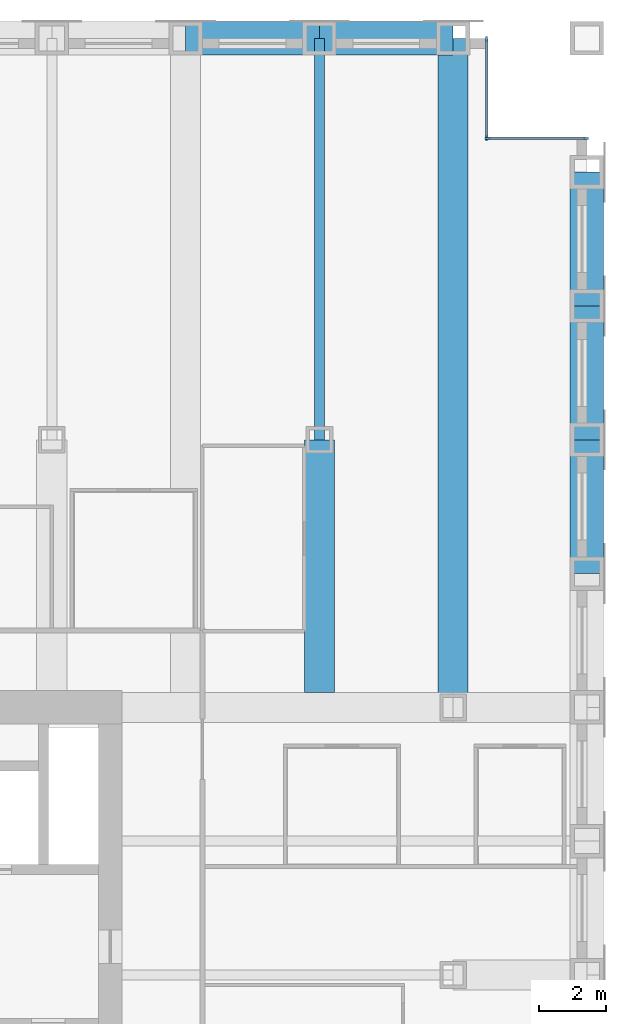
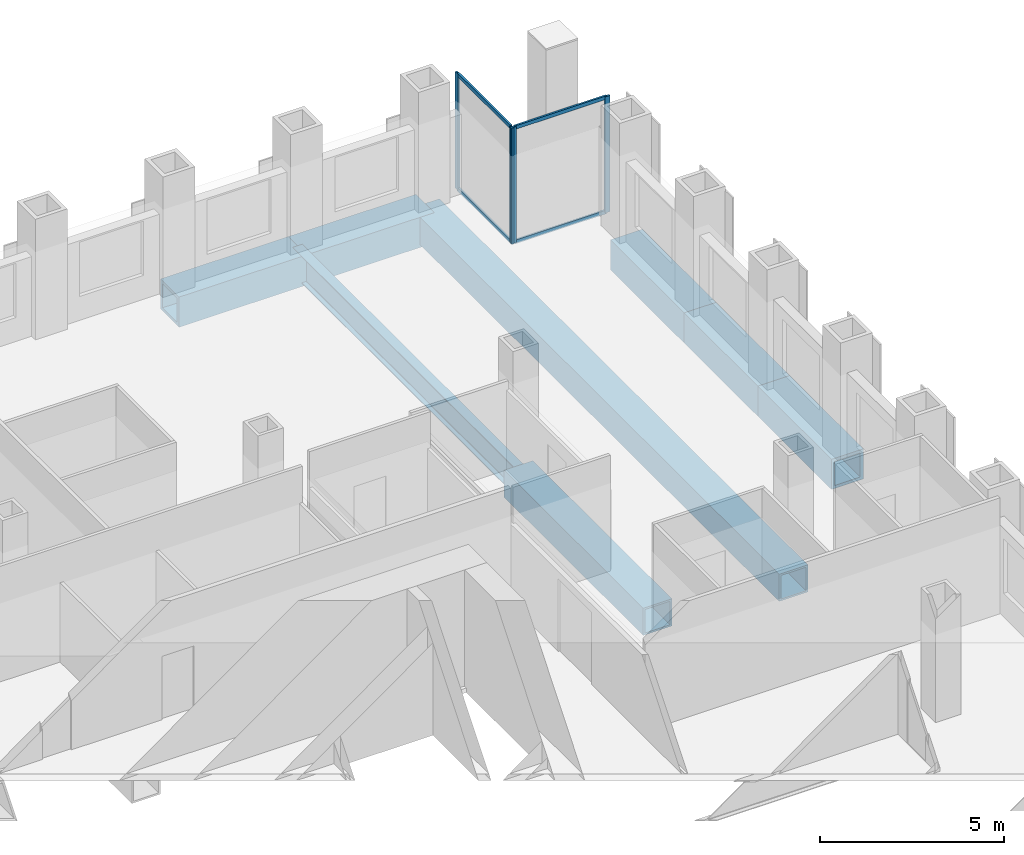
# One storey, part 7 of 14: 8 beams, 8 members, 2 elements without a shape of their own.
"""IFC4 building model written with IfcOpenShell, lengths in metres."""

from ifc_helpers import new_model, si_unit, direction, frame, origin, origin_2d, place, context, subcontext, project, spatial, rectangle, hollow_rectangle, i_section, extrude, material, material_profile, profile_set, type_object, element, aggregate, save


model = new_model("IFC4")

# Units and contexts
model_context = context("Model", 3, precision=1e-05, world=origin(), true_north=direction((0.0, 1.0)))
body_context = subcontext(model_context, "Body", "Model", "MODEL_VIEW")
ifc_project = project(units=[si_unit("LENGTHUNIT", "METRE"), si_unit("AREAUNIT", "SQUARE_METRE"), si_unit("VOLUMEUNIT", "CUBIC_METRE"), si_unit("PLANEANGLEUNIT", "RADIAN"), si_unit("MASSUNIT", "GRAM", prefix="KILO")], contexts=[model_context])

# Site, building, storey
site_placement = place(None, origin())
site = spatial("IfcSite", under=ifc_project, at=site_placement, CompositionType="ELEMENT")
building_placement = place(site_placement, origin())
building = spatial("IfcBuilding", under=site, at=building_placement, Name="Rimbunsela Tower", CompositionType="ELEMENT")
storey_placement = place(building_placement, frame((0.0, 0.0, 234.199951171875)))
storey = spatial("IfcBuildingStorey", under=building, at=storey_placement, Name="L56", CompositionType="ELEMENT", Elevation=234.199951171875)

# Beams
ifc_material_1 = material(Name="Steel BJ 55 (fy 410 MPa)", Category="steel")
ifc_material_profile_1 = material_profile(ifc_material_1, hollow_rectangle(XDim=1.0, YDim=1.0, WallThickness=0.10009765625, at=origin_2d()), Name="BOX 1000x1000x100")
ifc_profile_set_1 = profile_set([ifc_material_profile_1], Name="Steel BJ 55 (fy 410 MPa)")
beam_type_1 = type_object("IfcBeamType", Name="Beam BOX 1000x1000x100", PredefinedType="BEAM", material=ifc_profile_set_1)
for number, where, z_axis, x_axis, name in (
    (1, (38.0, 56.0, -0.64990234375), (1.0, 0.0, 0.0), (0.0, 1.0, 0.0), "Beam B3 L56"),
    (2, (42.0, 56.0, -0.64990234375), (1.0, 0.0, 0.0), (0.0, 1.0, 0.0), "Beam B3 L56"),
    (3, (50.0, 40.0, -0.64990234375), (0.0, 1.0, 0.0), (-1.0, 0.0, 0.0), "Beam B3 L56"),
    (4, (50.0, 44.0, -0.64990234375), (0.0, 1.0, 0.0), (-1.0, 0.0, 0.0), "Beam B3 L56"),
    (5, (50.0, 48.0, -0.64990234375), (0.0, 1.0, 0.0), (-1.0, 0.0, 0.0), "Beam B3 L56"),
):
    element("IfcBeam", number, at=place(storey_placement, frame(where, z_axis=z_axis, x_axis=x_axis)), inside=storey, type_object=beam_type_1, Name=name, PredefinedType="BEAM", context=body_context, shape_type="SweptSolid", body=[
        extrude(hollow_rectangle(XDim=1.0, YDim=1.0, WallThickness=0.10009765625, at=origin_2d()), origin(), (0.0, 0.0, 1.0), 4.0),
    ])
ifc_material_2 = material(Name="Steel BJ 55 (fy 410 MPa)", Category="steel")
ifc_material_profile_2 = material_profile(ifc_material_2, hollow_rectangle(XDim=0.89990234375, YDim=0.89990234375, WallThickness=0.06005859375, at=origin_2d()), Name="BOX 900x900x60")
ifc_profile_set_2 = profile_set([ifc_material_profile_2], Name="Steel BJ 55 (fy 410 MPa)")
beam_type_2 = type_object("IfcBeamType", Name="Beam BOX 900x900x60", PredefinedType="BEAM", material=ifc_profile_set_2)
beam_1_placement = place(storey_placement, frame((42.0, 36.449951171875, -0.599853515625), z_axis=(0.0, 1.0, 0.0), x_axis=(-1.0, 0.0, 0.0)))
element("IfcBeam", 6, at=beam_1_placement, inside=storey, type_object=beam_type_2, Name="Beam B1 L56", PredefinedType="BEAM", context=body_context, shape_type="SweptSolid", body=[
    extrude(hollow_rectangle(XDim=0.89990234375, YDim=0.89990234375, WallThickness=0.06005859375, at=origin_2d()), origin(), (0.0, 0.0, 1.0), 7.550048828125),
])
beam_2_placement = place(storey_placement, frame((46.0, 36.0, -0.599853515625), z_axis=(0.0, 1.0, 0.0), x_axis=(-1.0, 0.0, 0.0)))
element("IfcBeam", 7, at=beam_2_placement, inside=storey, type_object=beam_type_2, Name="Beam B1 L56", PredefinedType="BEAM", context=body_context, shape_type="SweptSolid", body=[
    extrude(hollow_rectangle(XDim=0.89990234375, YDim=0.89990234375, WallThickness=0.06005859375, at=origin_2d()), origin(), (0.0, 0.0, 1.0), 20.0),
])
ifc_material_3 = material(Name="Steel BJ 55 (fy 410 MPa)", Category="steel")
ifc_material_profile_3 = material_profile(ifc_material_3, i_section(OverallWidth=0.300048828125, OverallDepth=0.89990234375, WebThickness=0.01611328125, FlangeThickness=0.028076171875, FilletRadius=0.028076171875, at=origin_2d()), Name="H 900x300x16x28")
ifc_profile_set_3 = profile_set([ifc_material_profile_3], Name="Steel BJ 55 (fy 410 MPa)")
beam_type_3 = type_object("IfcBeamType", Name="Beam H 900x300x16x28", PredefinedType="BEAM", material=ifc_profile_set_3)
beam_3_placement = place(storey_placement, frame((42.0, 44.0, -0.599853515625), z_axis=(0.0, 1.0, 0.0), x_axis=(-1.0, 0.0, 0.0)))
element("IfcBeam", 8, at=beam_3_placement, inside=storey, type_object=beam_type_3, Name="Beam B2 L56", PredefinedType="BEAM", context=body_context, shape_type="SweptSolid", body=[
    extrude(i_section(OverallWidth=0.300048828125, OverallDepth=0.89990234375, WebThickness=0.01611328125, FlangeThickness=0.028076171875, FilletRadius=0.028076171875, at=origin_2d()), origin(), (0.0, 0.0, 1.0), 12.0),
])

# Curtain wall, members
ifc_material_4 = material(Name="Aluminium curtain wall", Category="aluminium")
curtain_wall_type = type_object("IfcCurtainWallType", Name="Corner glazing", PredefinedType="USERDEFINED", material=ifc_material_4)
curtain_wall_1_placement = place(storey_placement, origin())
curtain_wall_1 = element("IfcCurtainWall", 9, at=curtain_wall_1_placement, inside=storey, type_object=curtain_wall_type, Name="Corner glazing L56", ObjectType="CORNER GLAZING", PredefinedType="USERDEFINED")
ifc_material_5 = material(Name="Aluminium mullion", Category="aluminium")
ifc_material_profile_4 = material_profile(ifc_material_5, rectangle(XDim=0.06005859375, YDim=0.159912109375, at=origin_2d()), Name="Mullion 60x160")
ifc_profile_set_4 = profile_set([ifc_material_profile_4], Name="Aluminium mullion")
member_type_1 = type_object("IfcMemberType", Name="Curtain wall mullion 60x160", PredefinedType="MULLION", material=ifc_profile_set_4)
member_1_placement = place(storey_placement, frame((49.969970703125, 53.0, 0.0), z_axis=(0.0, 0.0, 1.0), x_axis=(0.0, -1.0, 0.0)))
member_1 = element("IfcMember", 10, at=member_1_placement, type_object=member_type_1, Name="CW5 mullion 1", PredefinedType="MULLION", context=body_context, shape_type="SweptSolid", body=[
    extrude(rectangle(XDim=0.06005859375, YDim=0.159912109375, at=origin_2d()), origin(), (0.0, 0.0, 1.0), 3.85009765625),
])
member_2_placement = place(storey_placement, frame((47.030029296875, 53.0, 0.0), z_axis=(0.0, 0.0, 1.0), x_axis=(0.0, -1.0, 0.0)))
member_2 = element("IfcMember", 11, at=member_2_placement, type_object=member_type_1, Name="CW5 mullion 2", PredefinedType="MULLION", context=body_context, shape_type="SweptSolid", body=[
    extrude(rectangle(XDim=0.06005859375, YDim=0.159912109375, at=origin_2d()), origin(), (0.0, 0.0, 1.0), 3.85009765625),
])

curtain_wall_2_placement = place(storey_placement, origin())
curtain_wall_2 = element("IfcCurtainWall", 12, at=curtain_wall_2_placement, inside=storey, type_object=curtain_wall_type, Name="Corner glazing L56", ObjectType="CORNER GLAZING", PredefinedType="USERDEFINED")
member_3_placement = place(storey_placement, frame((47.0, 53.030029296875, 0.0), z_axis=(0.0, 0.0, 1.0), x_axis=(-1.0, 0.0, 0.0)))
member_3 = element("IfcMember", 13, at=member_3_placement, type_object=member_type_1, Name="CW5 mullion 1", PredefinedType="MULLION", context=body_context, shape_type="SweptSolid", body=[
    extrude(rectangle(XDim=0.06005859375, YDim=0.159912109375, at=origin_2d()), origin(), (0.0, 0.0, 1.0), 3.85009765625),
])
member_4_placement = place(storey_placement, frame((47.0, 55.969970703125, 0.0), z_axis=(0.0, 0.0, 1.0), x_axis=(-1.0, 0.0, 0.0)))
member_4 = element("IfcMember", 14, at=member_4_placement, type_object=member_type_1, Name="CW5 mullion 2", PredefinedType="MULLION", context=body_context, shape_type="SweptSolid", body=[
    extrude(rectangle(XDim=0.06005859375, YDim=0.159912109375, at=origin_2d()), origin(), (0.0, 0.0, 1.0), 3.85009765625),
])

# Member
ifc_material_6 = material(Name="Aluminium transom", Category="aluminium")
ifc_material_profile_5 = material_profile(ifc_material_6, rectangle(XDim=0.06005859375, YDim=0.1201171875, at=origin_2d()), Name="Transom 60x120")
ifc_profile_set_5 = profile_set([ifc_material_profile_5], Name="Aluminium transom")
member_type_2 = type_object("IfcMemberType", Name="Curtain wall transom 60x120", PredefinedType="USERDEFINED", material=ifc_profile_set_5)
member_5_placement = place(storey_placement, frame((49.93994140625, 53.0, 0.030029296875), z_axis=(-1.0, 0.0, 0.0), x_axis=(0.0, -1.0, 0.0)))
member_5 = element("IfcMember", 15, at=member_5_placement, type_object=member_type_2, Name="CW5 transom 1.1", ObjectType="TRANSOM", PredefinedType="USERDEFINED", context=body_context, shape_type="SweptSolid", body=[
    extrude(rectangle(XDim=0.06005859375, YDim=0.1201171875, at=origin_2d()), origin(), (0.0, 0.0, 1.0), 2.8798828125),
])

member_6_placement = place(storey_placement, frame((49.93994140625, 53.0, 3.820068359375), z_axis=(-1.0, 0.0, 0.0), x_axis=(0.0, -1.0, 0.0)))
member_6 = element("IfcMember", 16, at=member_6_placement, type_object=member_type_2, Name="CW5 transom 1.2", ObjectType="TRANSOM", PredefinedType="USERDEFINED", context=body_context, shape_type="SweptSolid", body=[
    extrude(rectangle(XDim=0.06005859375, YDim=0.1201171875, at=origin_2d()), origin(), (0.0, 0.0, 1.0), 2.8798828125),
])

aggregate(curtain_wall_1, [member_1, member_2, member_5, member_6])

member_7_placement = place(storey_placement, frame((47.0, 53.06005859375, 0.030029296875), z_axis=(0.0, 1.0, 0.0), x_axis=(-1.0, 0.0, 0.0)))
member_7 = element("IfcMember", 17, at=member_7_placement, type_object=member_type_2, Name="CW5 transom 1.1", ObjectType="TRANSOM", PredefinedType="USERDEFINED", context=body_context, shape_type="SweptSolid", body=[
    extrude(rectangle(XDim=0.06005859375, YDim=0.1201171875, at=origin_2d()), origin(), (0.0, 0.0, 1.0), 2.8798828125),
])

member_8_placement = place(storey_placement, frame((47.0, 53.06005859375, 3.820068359375), z_axis=(0.0, 1.0, 0.0), x_axis=(-1.0, 0.0, 0.0)))
member_8 = element("IfcMember", 18, at=member_8_placement, type_object=member_type_2, Name="CW5 transom 1.2", ObjectType="TRANSOM", PredefinedType="USERDEFINED", context=body_context, shape_type="SweptSolid", body=[
    extrude(rectangle(XDim=0.06005859375, YDim=0.1201171875, at=origin_2d()), origin(), (0.0, 0.0, 1.0), 2.8798828125),
])

aggregate(curtain_wall_2, [member_3, member_4, member_7, member_8])

save(model, "model.ifc")
